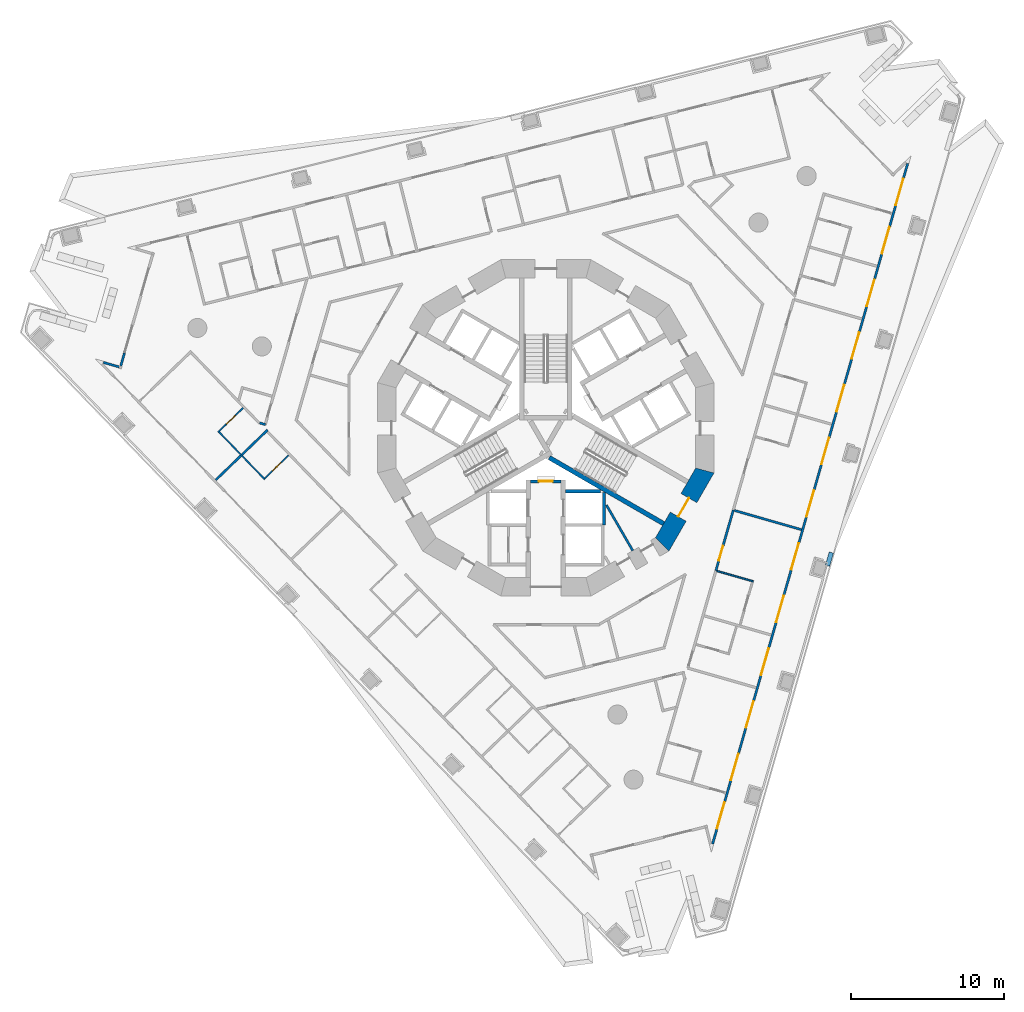
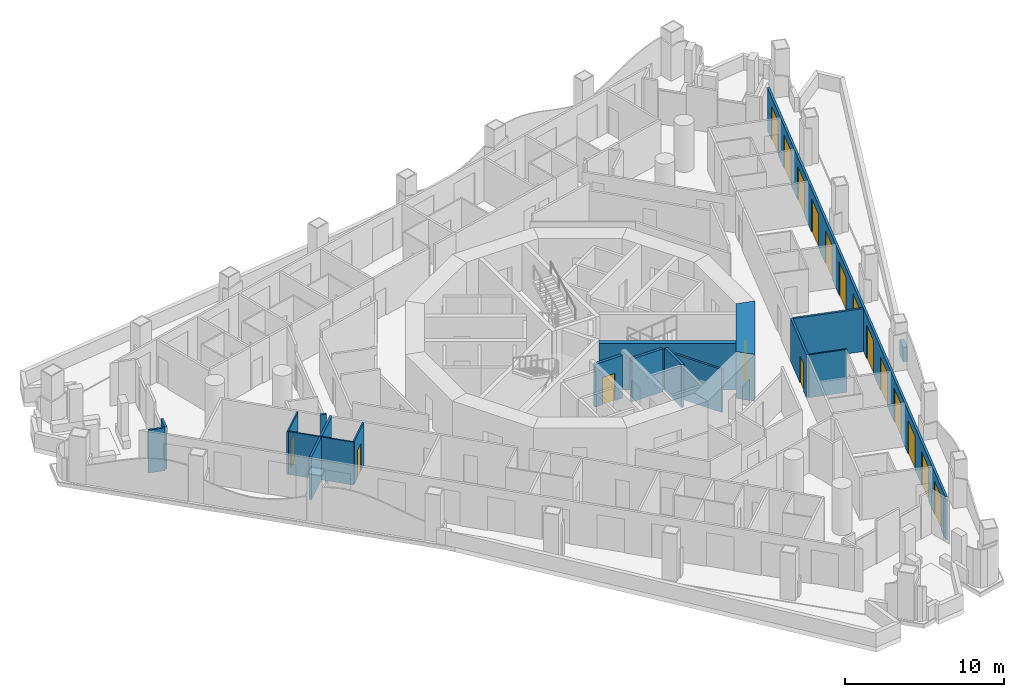
# One storey, part 5 of 19: 18 doors, 18 walls, 18 openings.
"""IFC4 building model written with IfcOpenShell, lengths in metres."""

import ifcopenshell
import ifcopenshell.guid

model = None  # the IFC model being written
_history = None  # IfcOwnerHistory: only IFC2X3 demands one
_inside = {}  # id of a spatial element -> (the spatial element, [elements in it])
_under = {}  # id of a project, library or spatial element -> (it, [spatial elements below it])
_declared = {}  # id of a project -> (the project, [libraries it declares])
_typed = {}  # id of a type object -> (the type object, [elements of that type])
_made_of = {}  # id of a material, layer set ... -> (it, [elements and type objects made of it])


def new_model(schema):
    """Start an empty IFC model of exactly this schema.

    Asked for "IFC4X3", IfcOpenShell would pick the latest addendum, in which some entities
    have other attributes; the version numbers below select the first issue.
    IFC2X3 requires an IfcOwnerHistory on every rooted entity: one is made here for all.
    """
    global model, _history
    if schema == "IFC4X3":
        model = ifcopenshell.file(schema_version=(4, 3, 0, 0))
    else:
        model = ifcopenshell.file(schema=schema)
    _inside.clear()
    _under.clear()
    _declared.clear()
    _typed.clear()
    _made_of.clear()
    _history = None
    if model.schema == "IFC2X3":
        org = make("IfcOrganization", Name="unknown")
        user = make(
            "IfcPersonAndOrganization",
            ThePerson=make("IfcPerson", FamilyName="unknown"),
            TheOrganization=org,
        )
        app = make(
            "IfcApplication",
            ApplicationDeveloper=org,
            Version="unknown",
            ApplicationFullName="unknown",
            ApplicationIdentifier="unknown",
        )
        _history = make(
            "IfcOwnerHistory",
            OwningUser=user,
            OwningApplication=app,
            ChangeAction="ADDED",
            CreationDate=0,
        )
    return model


def make(cls, **values):
    """One entity of the class cls with the attributes given. An attribute that is None is left unset."""
    return model.create_entity(
        cls, **{name: value for name, value in values.items() if value is not None}
    )


def rooted(cls, **values):
    """An entity with a GlobalId (a new one), such as an element, a storey or a relation."""
    return make(cls, GlobalId=ifcopenshell.guid.new(), OwnerHistory=_history, **values)


def si_unit(unit_type, name, prefix=None):
    """IfcSIUnit, for example si_unit("LENGTHUNIT", "METRE", prefix="MILLI")."""
    return make("IfcSIUnit", UnitType=unit_type, Prefix=prefix, Name=name)


def assignment(units):
    """IfcUnitAssignment: the units of a project."""
    return None if units is None else make("IfcUnitAssignment", Units=units)


def point(xyz):
    """IfcCartesianPoint."""
    return None if xyz is None else make("IfcCartesianPoint", Coordinates=xyz)


def direction(xyz):
    """IfcDirection."""
    return None if xyz is None else make("IfcDirection", DirectionRatios=xyz)


def frame(location, z_axis=None, x_axis=None):
    """IfcAxis2Placement3D, a coordinate frame: its origin and axes. An axis left out is left unset."""
    return make(
        "IfcAxis2Placement3D",
        Location=point(location),
        Axis=direction(z_axis),
        RefDirection=direction(x_axis),
    )


def frame_2d(location, x_axis=None):
    """IfcAxis2Placement2D, a coordinate frame in the plane: its origin and x axis."""
    return make(
        "IfcAxis2Placement2D", Location=point(location), RefDirection=direction(x_axis)
    )


def origin():
    """The frame at (0, 0, 0) with its axes left unset."""
    return frame((0.0, 0.0, 0.0))


def place(relative_to, where):
    """IfcLocalPlacement: puts the frame where relative to a parent placement (None: the world)."""
    return make(
        "IfcLocalPlacement", PlacementRelTo=relative_to, RelativePlacement=where
    )


def context(
    kind, dimensions, precision=None, world=None, true_north=None, identifier=None
):
    """IfcGeometricRepresentationContext, for example the 3D "Model" context."""
    return make(
        "IfcGeometricRepresentationContext",
        ContextIdentifier=identifier,
        ContextType=kind,
        CoordinateSpaceDimension=dimensions,
        Precision=precision,
        WorldCoordinateSystem=world,
        TrueNorth=true_north,
    )


def subcontext(parent, identifier, kind, view, scale=None):
    """IfcGeometricRepresentationSubContext, for example "Body" below "Model"."""
    return make(
        "IfcGeometricRepresentationSubContext",
        ContextIdentifier=identifier,
        ContextType=kind,
        ParentContext=parent,
        TargetScale=scale,
        TargetView=view,
    )


def project(units=None, contexts=None):
    """IfcProject with its units and contexts."""
    return rooted(
        "IfcProject",
        Name="project",
        RepresentationContexts=contexts,
        UnitsInContext=assignment(units),
    )


def spatial(cls, under=None, at=None, **own):
    """A site, building, storey or space (cls), placed at a placement, below another one or the project."""
    s = rooted(cls, ObjectPlacement=at, **own)
    if under is not None:
        _under.setdefault(under.id(), (under, []))[1].append(s)
    return s


def polyline(points):
    """IfcPolyline through the points."""
    return make("IfcPolyline", Points=[point(p) for p in points])


def profile(cls, at=None, kind="AREA", **sizes):
    """A parametric profile (cls). Its sizes go by their IFC names, for example OverallWidth=200.0."""
    return make(cls, ProfileType=kind, Position=at, **sizes)


def rectangle(**sizes):
    """IfcRectangleProfileDef."""
    return profile("IfcRectangleProfileDef", **sizes)


def outline(outer, holes=None, kind="AREA"):
    """IfcArbitraryClosedProfileDef: a profile drawn as a closed curve; with holes, ...WithVoids."""
    if holes is None:
        return make("IfcArbitraryClosedProfileDef", ProfileType=kind, OuterCurve=outer)
    return make(
        "IfcArbitraryProfileDefWithVoids",
        ProfileType=kind,
        OuterCurve=outer,
        InnerCurves=holes,
    )


def extrude(swept, where, along, depth):
    """IfcExtrudedAreaSolid: the profile swept, set in the frame where, extruded along a direction by depth."""
    return make(
        "IfcExtrudedAreaSolid",
        SweptArea=swept,
        Position=where,
        ExtrudedDirection=direction(along),
        Depth=depth,
    )


def shape(context_of_items, identifier, shape_type, items):
    """IfcShapeRepresentation: the items that make up one representation, for example the "Body"."""
    return make(
        "IfcShapeRepresentation",
        ContextOfItems=context_of_items,
        RepresentationIdentifier=identifier,
        RepresentationType=shape_type,
        Items=items,
    )


def material(Name=None, Category=None):
    """IfcMaterial."""
    return make("IfcMaterial", Name=Name, Category=Category)


def layer(
    of_material, thickness, ventilated=None, Name=None, Category=None, Priority=None
):
    """IfcMaterialLayer: one layer of a wall or slab, of a material (None: an air gap)."""
    return make(
        "IfcMaterialLayer",
        Material=of_material,
        LayerThickness=thickness,
        IsVentilated=ventilated,
        Name=Name,
        Category=Category,
        Priority=Priority,
    )


def layer_set(layers, Name=None):
    """IfcMaterialLayerSet."""
    return make("IfcMaterialLayerSet", MaterialLayers=layers, LayerSetName=Name)


def made_of(thing, what):
    """Note that an element or type object is made of a material, layer set ...; save() writes the relation."""
    if what is not None:
        _made_of.setdefault(what.id(), (what, []))[1].append(thing)
    return thing


def type_object(cls, material=None, **own):
    """A type object (cls), such as IfcWallType, which elements share."""
    return made_of(rooted(cls, **own), material)


def element(
    cls,
    number,
    at=None,
    inside=None,
    cuts=None,
    type_object=None,
    material=None,
    context=None,
    identifier="Body",
    shape_type=None,
    held_by="IfcProductDefinitionShape",
    body=None,
    shapes=None,
    **own,
):
    """One element of the class cls, such as IfcWall. Its Tag is "e" and its number.

    at: its placement. inside: the storey or other place that contains it. cuts: it is an
    opening in that element (IfcRelVoidsElement). A single representation is given by context,
    identifier, shape_type and body (its items); several are given by shapes. held_by: the class
    of the entity that holds the representations. save() writes the other relations.
    """
    e = rooted(cls, Tag="e%d" % number, ObjectPlacement=at, **own)
    if body is not None:
        shapes = [shape(context, identifier, shape_type, body)]
    if shapes is not None:
        e.Representation = make(held_by, Representations=shapes)
    if inside is not None:
        _inside.setdefault(inside.id(), (inside, []))[1].append(e)
    if cuts is not None:
        rooted(
            "IfcRelVoidsElement", RelatingBuildingElement=cuts, RelatedOpeningElement=e
        )
    if type_object is not None:
        _typed.setdefault(type_object.id(), (type_object, []))[1].append(e)
    return made_of(e, material)


def fill(opening, filler):
    """IfcRelFillsElement: the door or window that sits in an opening."""
    return rooted(
        "IfcRelFillsElement",
        RelatingOpeningElement=opening,
        RelatedBuildingElement=filler,
    )


def aggregate(whole, parts):
    """IfcRelAggregates: a whole, such as a stair, and the parts it consists of."""
    return rooted("IfcRelAggregates", RelatingObject=whole, RelatedObjects=parts)


def save(model, path):
    """Write the relations noted so far, then the file.

    IfcRelAggregates (storeys below a building ...), IfcRelContainedInSpatialStructure (elements
    in a storey), IfcRelDefinesByType, IfcRelAssociatesMaterial and IfcRelDeclares: one each for
    every whole, place, type object, material and project.
    """
    for whole, parts in _under.values():
        aggregate(whole, parts)
    for where, things in _inside.values():
        rooted(
            "IfcRelContainedInSpatialStructure",
            RelatedElements=things,
            RelatingStructure=where,
        )
    for kind, things in _typed.values():
        rooted("IfcRelDefinesByType", RelatedObjects=things, RelatingType=kind)
    for what, things in _made_of.values():
        rooted("IfcRelAssociatesMaterial", RelatedObjects=things, RelatingMaterial=what)
    for by, libraries in _declared.values():
        rooted("IfcRelDeclares", RelatingContext=by, RelatedDefinitions=libraries)
    model.write(path)


model = new_model("IFC4")

# Units and contexts
model_context = context("Model", 3, precision=1e-05, world=origin(), true_north=direction((0.0, 1.0)))
body_context = subcontext(model_context, "Body", "Model", "MODEL_VIEW")
ifc_project = project(units=[si_unit("LENGTHUNIT", "METRE"), si_unit("AREAUNIT", "SQUARE_METRE"), si_unit("VOLUMEUNIT", "CUBIC_METRE"), si_unit("PLANEANGLEUNIT", "RADIAN"), si_unit("MASSUNIT", "GRAM", prefix="KILO")], contexts=[model_context])

# Site, building, storey
site_placement = place(None, origin())
site = spatial("IfcSite", under=ifc_project, at=site_placement, CompositionType="ELEMENT")
building_placement = place(site_placement, origin())
building = spatial("IfcBuilding", under=site, at=building_placement, Name="Trine Commons Tower", CompositionType="ELEMENT")
storey_placement = place(building_placement, frame((0.0, 0.0, 87.300048828125)))
storey = spatial("IfcBuildingStorey", under=building, at=storey_placement, Name="L21", CompositionType="ELEMENT", Elevation=87.300048828125)

# Walls
ifc_material_1 = material(Name="Plasterboard partition on steel studs", Category="steel")
ifc_layer_1 = layer(ifc_material_1, 0.14990234375)
ifc_layer_set_1 = layer_set([ifc_layer_1], Name="Plasterboard partition on steel studs")
wall_type_1 = type_object("IfcWallType", Name="Core room partition 150 mm, EI 60", PredefinedType="PARTITIONING", material=ifc_layer_set_1)
wall_1_placement = place(storey_placement, frame((85.693115234375, 54.4580078125, 0.0), z_axis=(0.0, 0.0, 1.0), x_axis=(-0.500258757272, 0.865875958653, 0.0)))
element("IfcWall", 1, at=wall_1_placement, inside=storey, type_object=wall_type_1, Name="Core room partition L21", PredefinedType="PARTITIONING", context=body_context, shape_type="SweptSolid", body=[
    extrude(rectangle(XDim=3.454345703125, YDim=0.14990234375, at=frame_2d((1.72705078125, 0.0))), origin(), (0.0, 0.0, 1.0), 3.300048828125),
])
ifc_material_2 = material(Name="Aluminium-framed insulated wall panel", Category="aluminium")
ifc_layer_2 = layer(ifc_material_2, 0.14990234375)
ifc_layer_set_2 = layer_set([ifc_layer_2], Name="Aluminium-framed insulated wall panel")
wall_type_2 = type_object("IfcWallType", Name="Glazed frame wall 150, EI 60", PredefinedType="SOLIDWALL", material=ifc_layer_set_2)
wall_2_placement = place(storey_placement, frame((50.88232421875, 66.82861328125, 0.0), z_axis=(0.0, 0.0, 1.0), x_axis=(0.961290718071, -0.275536123495, 0.0)))
element("IfcWall", 2, at=wall_2_placement, inside=storey, type_object=wall_type_2, Name="Glazed frame wall R1", PredefinedType="SOLIDWALL", context=body_context, shape_type="SweptSolid", body=[
    extrude(outline(polyline([(0.1494140625, 0.074951171875), (0.1494140625, -0.074951171875), (1.235107421875, -0.074951171875), (1.235107421875, 0.074951171875), (0.1494140625, 0.074951171875)])), origin(), (0.0, 0.0, 1.0), 3.300048828125),
])
wall_3_placement = place(storey_placement, frame((52.1318359375, 66.433837890625, 0.0), z_axis=(0.0, 0.0, 1.0), x_axis=(0.27588175927, 0.961191580749, 0.0)))
element("IfcWall", 3, at=wall_3_placement, inside=storey, type_object=wall_type_2, Name="Glazed frame wall P1.1", PredefinedType="SOLIDWALL", context=body_context, shape_type="SweptSolid", body=[
    extrude(outline(polyline([(0.110107421875, -0.074951171875), (1.0, -0.074951171875), (1.0, 0.074951171875), (0.110107421875, 0.074951171875), (0.110107421875, -0.074951171875)])), origin(), (0.0, 0.0, 1.0), 3.300048828125),
])

# Wall, openings, doors
wall_4_placement = place(storey_placement, frame((103.735107421875, 79.95703125, 0.0), z_axis=(0.0, 0.0, 1.0), x_axis=(-0.275637625225, -0.961261618687, 0.0)))
wall_4 = element("IfcWall", 4, at=wall_4_placement, inside=storey, type_object=wall_type_2, Name="Glazed frame wall F2", PredefinedType="SOLIDWALL", context=body_context, shape_type="SweptSolid", body=[
    extrude(outline(polyline([(0.1494140625, 0.074951171875), (0.1494140625, -0.074951171875), (46.496826171875, -0.074951171875), (46.496826171875, 0.074951171875), (0.1494140625, 0.074951171875)])), origin(), (0.0, 0.0, 1.0), 3.300048828125),
])
opening_1_placement = place(wall_4_placement, frame((1.194091796875, 0.0, 0.0)))
opening_1 = element("IfcOpeningElement", 5, at=opening_1_placement, cuts=wall_4, Name="Opening BD-3F2-01", PredefinedType="OPENING", context=body_context, shape_type="SweptSolid", body=[
    extrude(rectangle(XDim=1.800048828125, YDim=2.60009765625, at=frame_2d((0.89990234375, 1.300048828125))), frame((0.0, 0.0849609375, 0.0), z_axis=(0.0, -1.0, 0.0), x_axis=(1.0, 0.0, 0.0)), (0.0, 0.0, 1.0), 0.169921875),
])
opening_2_placement = place(wall_4_placement, frame((4.482421875, 0.0, 0.0)))
opening_2 = element("IfcOpeningElement", 6, at=opening_2_placement, cuts=wall_4, Name="Opening BD-3F2-02", PredefinedType="OPENING", context=body_context, shape_type="SweptSolid", body=[
    extrude(rectangle(XDim=1.800048828125, YDim=2.60009765625, at=frame_2d((0.89990234375, 1.300048828125))), frame((0.0, 0.0849609375, 0.0), z_axis=(0.0, -1.0, 0.0), x_axis=(1.0, 0.0, 0.0)), (0.0, 0.0, 1.0), 0.169921875),
])
opening_3_placement = place(wall_4_placement, frame((8.070556640625, 0.0, 0.0)))
opening_3 = element("IfcOpeningElement", 7, at=opening_3_placement, cuts=wall_4, Name="Opening BD-3F2-03", PredefinedType="OPENING", context=body_context, shape_type="SweptSolid", body=[
    extrude(rectangle(XDim=1.800048828125, YDim=2.60009765625, at=frame_2d((0.89990234375, 1.300048828125))), frame((0.0, 0.0849609375, 0.0), z_axis=(0.0, -1.0, 0.0), x_axis=(1.0, 0.0, 0.0)), (0.0, 0.0, 1.0), 0.169921875),
])
opening_4_placement = place(wall_4_placement, frame((11.65869140625, 0.0, 0.0)))
opening_4 = element("IfcOpeningElement", 8, at=opening_4_placement, cuts=wall_4, Name="Opening BD-3F2-04", PredefinedType="OPENING", context=body_context, shape_type="SweptSolid", body=[
    extrude(rectangle(XDim=1.800048828125, YDim=2.60009765625, at=frame_2d((0.89990234375, 1.300048828125))), frame((0.0, 0.0849609375, 0.0), z_axis=(0.0, -1.0, 0.0), x_axis=(1.0, 0.0, 0.0)), (0.0, 0.0, 1.0), 0.169921875),
])
opening_5_placement = place(wall_4_placement, frame((15.246826171875, 0.0, 0.0)))
opening_5 = element("IfcOpeningElement", 9, at=opening_5_placement, cuts=wall_4, Name="Opening BD-3F2-05", PredefinedType="OPENING", context=body_context, shape_type="SweptSolid", body=[
    extrude(rectangle(XDim=1.800048828125, YDim=2.60009765625, at=frame_2d((0.89990234375, 1.300048828125))), frame((0.0, 0.0849609375, 0.0), z_axis=(0.0, -1.0, 0.0), x_axis=(1.0, 0.0, 0.0)), (0.0, 0.0, 1.0), 0.169921875),
])
opening_6_placement = place(wall_4_placement, frame((18.835205078125, 0.0, 0.0)))
opening_6 = element("IfcOpeningElement", 10, at=opening_6_placement, cuts=wall_4, Name="Opening BD-3F2-06", PredefinedType="OPENING", context=body_context, shape_type="SweptSolid", body=[
    extrude(rectangle(XDim=1.800048828125, YDim=2.60009765625, at=frame_2d((0.89990234375, 1.300048828125))), frame((0.0, 0.0849609375, 0.0), z_axis=(0.0, -1.0, 0.0), x_axis=(1.0, 0.0, 0.0)), (0.0, 0.0, 1.0), 0.169921875),
])
opening_7_placement = place(wall_4_placement, frame((22.42333984375, 0.0, 0.0)))
opening_7 = element("IfcOpeningElement", 11, at=opening_7_placement, cuts=wall_4, Name="Opening BD-3F2-07", PredefinedType="OPENING", context=body_context, shape_type="SweptSolid", body=[
    extrude(rectangle(XDim=1.800048828125, YDim=2.60009765625, at=frame_2d((0.89990234375, 1.300048828125))), frame((0.0, 0.0849609375, 0.0), z_axis=(0.0, -1.0, 0.0), x_axis=(1.0, 0.0, 0.0)), (0.0, 0.0, 1.0), 0.169921875),
])
opening_8_placement = place(wall_4_placement, frame((26.011474609375, 0.0, 0.0)))
opening_8 = element("IfcOpeningElement", 12, at=opening_8_placement, cuts=wall_4, Name="Opening BD-3F2-08", PredefinedType="OPENING", context=body_context, shape_type="SweptSolid", body=[
    extrude(rectangle(XDim=1.800048828125, YDim=2.60009765625, at=frame_2d((0.89990234375, 1.300048828125))), frame((0.0, 0.0849609375, 0.0), z_axis=(0.0, -1.0, 0.0), x_axis=(1.0, 0.0, 0.0)), (0.0, 0.0, 1.0), 0.169921875),
])
opening_9_placement = place(wall_4_placement, frame((29.599609375, 0.0, 0.0)))
opening_9 = element("IfcOpeningElement", 13, at=opening_9_placement, cuts=wall_4, Name="Opening BD-3F2-09", PredefinedType="OPENING", context=body_context, shape_type="SweptSolid", body=[
    extrude(rectangle(XDim=1.800048828125, YDim=2.60009765625, at=frame_2d((0.89990234375, 1.300048828125))), frame((0.0, 0.0849609375, 0.0), z_axis=(0.0, -1.0, 0.0), x_axis=(1.0, 0.0, 0.0)), (0.0, 0.0, 1.0), 0.169921875),
])
opening_10_placement = place(wall_4_placement, frame((33.18798828125, 0.0, 0.0)))
opening_10 = element("IfcOpeningElement", 14, at=opening_10_placement, cuts=wall_4, Name="Opening BD-3F2-10", PredefinedType="OPENING", context=body_context, shape_type="SweptSolid", body=[
    extrude(rectangle(XDim=1.800048828125, YDim=2.60009765625, at=frame_2d((0.89990234375, 1.300048828125))), frame((0.0, 0.0849609375, 0.0), z_axis=(0.0, -1.0, 0.0), x_axis=(1.0, 0.0, 0.0)), (0.0, 0.0, 1.0), 0.169921875),
])
opening_11_placement = place(wall_4_placement, frame((36.776123046875, 0.0, 0.0)))
opening_11 = element("IfcOpeningElement", 15, at=opening_11_placement, cuts=wall_4, Name="Opening BD-3F2-11", PredefinedType="OPENING", context=body_context, shape_type="SweptSolid", body=[
    extrude(rectangle(XDim=1.800048828125, YDim=2.60009765625, at=frame_2d((0.89990234375, 1.300048828125))), frame((0.0, 0.0849609375, 0.0), z_axis=(0.0, -1.0, 0.0), x_axis=(1.0, 0.0, 0.0)), (0.0, 0.0, 1.0), 0.169921875),
])
opening_12_placement = place(wall_4_placement, frame((40.3642578125, 0.0, 0.0)))
opening_12 = element("IfcOpeningElement", 16, at=opening_12_placement, cuts=wall_4, Name="Opening BD-3F2-12", PredefinedType="OPENING", context=body_context, shape_type="SweptSolid", body=[
    extrude(rectangle(XDim=1.800048828125, YDim=2.60009765625, at=frame_2d((0.89990234375, 1.300048828125))), frame((0.0, 0.0849609375, 0.0), z_axis=(0.0, -1.0, 0.0), x_axis=(1.0, 0.0, 0.0)), (0.0, 0.0, 1.0), 0.169921875),
])
opening_13_placement = place(wall_4_placement, frame((43.652587890625, 0.0, 0.0)))
opening_13 = element("IfcOpeningElement", 17, at=opening_13_placement, cuts=wall_4, Name="Opening BD-3F2-13", PredefinedType="OPENING", context=body_context, shape_type="SweptSolid", body=[
    extrude(rectangle(XDim=1.800048828125, YDim=2.60009765625, at=frame_2d((0.89990234375, 1.300048828125))), frame((0.0, 0.0849609375, 0.0), z_axis=(0.0, -1.0, 0.0), x_axis=(1.0, 0.0, 0.0)), (0.0, 0.0, 1.0), 0.169921875),
])
ifc_material_3 = material(Name="Anodised aluminium frame with double glazing", Category="aluminium")
door_type_1 = type_object("IfcDoorType", Name="Sliding loggia door 1800x2600", OperationType="SLIDING_TO_LEFT", PredefinedType="DOOR", material=ifc_material_3)
door_1_placement = place(opening_1_placement, origin())
door_1 = element("IfcDoor", 18, at=door_1_placement, inside=storey, type_object=door_type_1, Name="Loggia door F2 1", OperationType="SLIDING_TO_LEFT", OverallHeight=2.60009765625, OverallWidth=1.800048828125, PredefinedType="DOOR", context=body_context, shape_type="SweptSolid", body=[
    extrude(rectangle(XDim=1.800048828125, YDim=2.60009765625, at=frame_2d((0.89990234375, 1.300048828125))), frame((0.0, 0.02490234375, 0.0), z_axis=(0.0, -1.0, 0.0), x_axis=(1.0, 0.0, 0.0)), (0.0, 0.0, 1.0), 0.050048828125),
])
fill(opening_1, door_1)
door_2_placement = place(opening_2_placement, origin())
door_2 = element("IfcDoor", 19, at=door_2_placement, inside=storey, type_object=door_type_1, Name="Loggia door F2 2", OperationType="SLIDING_TO_LEFT", OverallHeight=2.60009765625, OverallWidth=1.800048828125, PredefinedType="DOOR", context=body_context, shape_type="SweptSolid", body=[
    extrude(rectangle(XDim=1.800048828125, YDim=2.60009765625, at=frame_2d((0.89990234375, 1.300048828125))), frame((0.0, 0.02490234375, 0.0), z_axis=(0.0, -1.0, 0.0), x_axis=(1.0, 0.0, 0.0)), (0.0, 0.0, 1.0), 0.050048828125),
])
fill(opening_2, door_2)
door_3_placement = place(opening_3_placement, origin())
door_3 = element("IfcDoor", 20, at=door_3_placement, inside=storey, type_object=door_type_1, Name="Loggia door F2 3", OperationType="SLIDING_TO_LEFT", OverallHeight=2.60009765625, OverallWidth=1.800048828125, PredefinedType="DOOR", context=body_context, shape_type="SweptSolid", body=[
    extrude(rectangle(XDim=1.800048828125, YDim=2.60009765625, at=frame_2d((0.89990234375, 1.300048828125))), frame((0.0, 0.02490234375, 0.0), z_axis=(0.0, -1.0, 0.0), x_axis=(1.0, 0.0, 0.0)), (0.0, 0.0, 1.0), 0.050048828125),
])
fill(opening_3, door_3)
door_4_placement = place(opening_4_placement, origin())
door_4 = element("IfcDoor", 21, at=door_4_placement, inside=storey, type_object=door_type_1, Name="Loggia door F2 4", OperationType="SLIDING_TO_LEFT", OverallHeight=2.60009765625, OverallWidth=1.800048828125, PredefinedType="DOOR", context=body_context, shape_type="SweptSolid", body=[
    extrude(rectangle(XDim=1.800048828125, YDim=2.60009765625, at=frame_2d((0.89990234375, 1.300048828125))), frame((0.0, 0.02490234375, 0.0), z_axis=(0.0, -1.0, 0.0), x_axis=(1.0, 0.0, 0.0)), (0.0, 0.0, 1.0), 0.050048828125),
])
fill(opening_4, door_4)
door_5_placement = place(opening_5_placement, origin())
door_5 = element("IfcDoor", 22, at=door_5_placement, inside=storey, type_object=door_type_1, Name="Loggia door F2 5", OperationType="SLIDING_TO_LEFT", OverallHeight=2.60009765625, OverallWidth=1.800048828125, PredefinedType="DOOR", context=body_context, shape_type="SweptSolid", body=[
    extrude(rectangle(XDim=1.800048828125, YDim=2.60009765625, at=frame_2d((0.89990234375, 1.300048828125))), frame((0.0, 0.02490234375, 0.0), z_axis=(0.0, -1.0, 0.0), x_axis=(1.0, 0.0, 0.0)), (0.0, 0.0, 1.0), 0.050048828125),
])
fill(opening_5, door_5)
door_6_placement = place(opening_6_placement, origin())
door_6 = element("IfcDoor", 23, at=door_6_placement, inside=storey, type_object=door_type_1, Name="Loggia door F2 6", OperationType="SLIDING_TO_LEFT", OverallHeight=2.60009765625, OverallWidth=1.800048828125, PredefinedType="DOOR", context=body_context, shape_type="SweptSolid", body=[
    extrude(rectangle(XDim=1.800048828125, YDim=2.60009765625, at=frame_2d((0.89990234375, 1.300048828125))), frame((0.0, 0.02490234375, 0.0), z_axis=(0.0, -1.0, 0.0), x_axis=(1.0, 0.0, 0.0)), (0.0, 0.0, 1.0), 0.050048828125),
])
fill(opening_6, door_6)
door_7_placement = place(opening_7_placement, origin())
door_7 = element("IfcDoor", 24, at=door_7_placement, inside=storey, type_object=door_type_1, Name="Loggia door F2 7", OperationType="SLIDING_TO_LEFT", OverallHeight=2.60009765625, OverallWidth=1.800048828125, PredefinedType="DOOR", context=body_context, shape_type="SweptSolid", body=[
    extrude(rectangle(XDim=1.800048828125, YDim=2.60009765625, at=frame_2d((0.89990234375, 1.300048828125))), frame((0.0, 0.02490234375, 0.0), z_axis=(0.0, -1.0, 0.0), x_axis=(1.0, 0.0, 0.0)), (0.0, 0.0, 1.0), 0.050048828125),
])
fill(opening_7, door_7)
door_8_placement = place(opening_8_placement, origin())
door_8 = element("IfcDoor", 25, at=door_8_placement, inside=storey, type_object=door_type_1, Name="Loggia door F2 8", OperationType="SLIDING_TO_LEFT", OverallHeight=2.60009765625, OverallWidth=1.800048828125, PredefinedType="DOOR", context=body_context, shape_type="SweptSolid", body=[
    extrude(rectangle(XDim=1.800048828125, YDim=2.60009765625, at=frame_2d((0.89990234375, 1.300048828125))), frame((0.0, 0.02490234375, 0.0), z_axis=(0.0, -1.0, 0.0), x_axis=(1.0, 0.0, 0.0)), (0.0, 0.0, 1.0), 0.050048828125),
])
fill(opening_8, door_8)
door_9_placement = place(opening_9_placement, origin())
door_9 = element("IfcDoor", 26, at=door_9_placement, inside=storey, type_object=door_type_1, Name="Loggia door F2 9", OperationType="SLIDING_TO_LEFT", OverallHeight=2.60009765625, OverallWidth=1.800048828125, PredefinedType="DOOR", context=body_context, shape_type="SweptSolid", body=[
    extrude(rectangle(XDim=1.800048828125, YDim=2.60009765625, at=frame_2d((0.89990234375, 1.300048828125))), frame((0.0, 0.02490234375, 0.0), z_axis=(0.0, -1.0, 0.0), x_axis=(1.0, 0.0, 0.0)), (0.0, 0.0, 1.0), 0.050048828125),
])
fill(opening_9, door_9)
door_10_placement = place(opening_10_placement, origin())
door_10 = element("IfcDoor", 27, at=door_10_placement, inside=storey, type_object=door_type_1, Name="Loggia door F2 10", OperationType="SLIDING_TO_LEFT", OverallHeight=2.60009765625, OverallWidth=1.800048828125, PredefinedType="DOOR", context=body_context, shape_type="SweptSolid", body=[
    extrude(rectangle(XDim=1.800048828125, YDim=2.60009765625, at=frame_2d((0.89990234375, 1.300048828125))), frame((0.0, 0.02490234375, 0.0), z_axis=(0.0, -1.0, 0.0), x_axis=(1.0, 0.0, 0.0)), (0.0, 0.0, 1.0), 0.050048828125),
])
fill(opening_10, door_10)
door_11_placement = place(opening_11_placement, origin())
door_11 = element("IfcDoor", 28, at=door_11_placement, inside=storey, type_object=door_type_1, Name="Loggia door F2 11", OperationType="SLIDING_TO_LEFT", OverallHeight=2.60009765625, OverallWidth=1.800048828125, PredefinedType="DOOR", context=body_context, shape_type="SweptSolid", body=[
    extrude(rectangle(XDim=1.800048828125, YDim=2.60009765625, at=frame_2d((0.89990234375, 1.300048828125))), frame((0.0, 0.02490234375, 0.0), z_axis=(0.0, -1.0, 0.0), x_axis=(1.0, 0.0, 0.0)), (0.0, 0.0, 1.0), 0.050048828125),
])
fill(opening_11, door_11)
door_12_placement = place(opening_12_placement, origin())
door_12 = element("IfcDoor", 29, at=door_12_placement, inside=storey, type_object=door_type_1, Name="Loggia door F2 12", OperationType="SLIDING_TO_LEFT", OverallHeight=2.60009765625, OverallWidth=1.800048828125, PredefinedType="DOOR", context=body_context, shape_type="SweptSolid", body=[
    extrude(rectangle(XDim=1.800048828125, YDim=2.60009765625, at=frame_2d((0.89990234375, 1.300048828125))), frame((0.0, 0.02490234375, 0.0), z_axis=(0.0, -1.0, 0.0), x_axis=(1.0, 0.0, 0.0)), (0.0, 0.0, 1.0), 0.050048828125),
])
fill(opening_12, door_12)
door_13_placement = place(opening_13_placement, origin())
door_13 = element("IfcDoor", 30, at=door_13_placement, inside=storey, type_object=door_type_1, Name="Loggia door F2 13", OperationType="SLIDING_TO_LEFT", OverallHeight=2.60009765625, OverallWidth=1.800048828125, PredefinedType="DOOR", context=body_context, shape_type="SweptSolid", body=[
    extrude(rectangle(XDim=1.800048828125, YDim=2.60009765625, at=frame_2d((0.89990234375, 1.300048828125))), frame((0.0, 0.02490234375, 0.0), z_axis=(0.0, -1.0, 0.0), x_axis=(1.0, 0.0, 0.0)), (0.0, 0.0, 1.0), 0.050048828125),
])
fill(opening_13, door_13)

# Wall, opening, door
ifc_material_4 = material(Name="Fire-rated gypsum shaft wall system")
ifc_layer_3 = layer(ifc_material_4, 0.199951171875)
ifc_layer_set_3 = layer_set([ifc_layer_3], Name="Fire-rated gypsum shaft wall system")
wall_type_3 = type_object("IfcWallType", Name="Lobby end wall 200 mm, EI 120", PredefinedType="PARTITIONING", material=ifc_layer_set_3)
wall_5_placement = place(storey_placement, frame((79.0, 59.0, 0.0), z_axis=(0.0, 0.0, 1.0), x_axis=(1.0, 0.0, 0.0)))
wall_5 = element("IfcWall", 31, at=wall_5_placement, inside=storey, type_object=wall_type_3, Name="Lobby end wall L21", PredefinedType="PARTITIONING", context=body_context, shape_type="SweptSolid", body=[
    extrude(rectangle(XDim=2.0, YDim=0.199951171875, at=frame_2d((1.0, 0.0))), origin(), (0.0, 0.0, 1.0), 3.300048828125),
])
opening_14_placement = place(wall_5_placement, frame((0.550048828125, 0.0, 0.0)))
opening_14 = element("IfcOpeningElement", 32, at=opening_14_placement, cuts=wall_5, Name="Opening K04.09", PredefinedType="OPENING", context=body_context, shape_type="SweptSolid", body=[
    extrude(rectangle(XDim=0.89990234375, YDim=2.10009765625, at=frame_2d((0.449951171875, 1.050048828125))), frame((0.0, 0.10986328125, 0.0), z_axis=(0.0, -1.0, 0.0), x_axis=(1.0, 0.0, 0.0)), (0.0, 0.0, 1.0), 0.219970703125),
])
ifc_material_5 = material(Name="Steel door leaf, fire-rated", Category="steel")
door_type_2 = type_object("IfcDoorType", Name="Riser access door, single leaf 900 x 2100, FD60", OperationType="SINGLE_SWING_LEFT", PredefinedType="DOOR", material=ifc_material_5)
door_14_placement = place(opening_14_placement, frame((0.89990234375, 0.0, 0.0), z_axis=(0.0, 0.0, 1.0), x_axis=(-1.0, 0.0, 0.0)))
door_14 = element("IfcDoor", 33, at=door_14_placement, inside=storey, type_object=door_type_2, Name="Riser door, Communications riser L21", OperationType="SINGLE_SWING_RIGHT", OverallHeight=2.10009765625, OverallWidth=0.89990234375, PredefinedType="DOOR", context=body_context, shape_type="SweptSolid", body=[
    extrude(rectangle(XDim=0.89990234375, YDim=2.10009765625, at=frame_2d((0.449951171875, 1.050048828125))), frame((0.0, 0.02490234375, 0.0), z_axis=(0.0, -1.0, 0.0), x_axis=(1.0, 0.0, 0.0)), (0.0, 0.0, 1.0), 0.050048828125),
])
fill(opening_14, door_14)

ifc_material_6 = material(Name="Concrete C70/85", Category="concrete")
ifc_layer_4 = layer(ifc_material_6, 1.199951171875)
ifc_layer_set_4 = layer_set([ifc_layer_4], Name="Concrete C70/85")
wall_type_4 = type_object("IfcWallType", Name="RC shear wall 1200 mm, C70/85", PredefinedType="SHEAR", material=ifc_layer_set_4)
wall_6_placement = place(storey_placement, frame((87.54150390625, 54.739013671875, 0.0), z_axis=(0.0, 0.0, 1.0), x_axis=(0.499979111662, 0.866037463336, 0.0)))
wall_6 = element("IfcWall", 34, at=wall_6_placement, inside=storey, type_object=wall_type_4, Name="Core wall CWC-12 L21", PredefinedType="SHEAR", context=body_context, shape_type="SweptSolid", body=[
    extrude(outline(polyline([(0.0, -0.60009765625), (5.901123046875, -0.60009765625), (5.57958984375, 0.60009765625), (0.321533203125, 0.60009765625), (0.0, -0.60009765625)])), origin(), (0.0, 0.0, 1.0), 3.599853515625),
])
opening_15_placement = place(wall_6_placement, frame((2.25048828125, 0.0, 0.0)))
opening_15 = element("IfcOpeningElement", 35, at=opening_15_placement, cuts=wall_6, Name="Opening K04.03", PredefinedType="OPENING", context=body_context, shape_type="SweptSolid", body=[
    extrude(rectangle(XDim=1.39990234375, YDim=2.10009765625, at=frame_2d((0.699951171875, 1.050048828125))), frame((0.0, 0.60986328125, 0.0), z_axis=(0.0, -1.0, 0.0), x_axis=(1.0, 0.0, 0.0)), (0.0, 0.0, 1.0), 1.219970703125),
])
ifc_material_7 = material(Name="Steel door leaves, fire-rated", Category="steel")
door_type_3 = type_object("IfcDoorType", Name="Stair door, double leaf 1400 x 2100, FD90", OperationType="DOUBLE_DOOR_SINGLE_SWING", PredefinedType="DOOR", material=ifc_material_7)
door_15_placement = place(opening_15_placement, origin())
door_15 = element("IfcDoor", 36, at=door_15_placement, inside=storey, type_object=door_type_3, Name="Stair door to Exit stair ST3A L21", OperationType="DOUBLE_DOOR_SINGLE_SWING", OverallHeight=2.10009765625, OverallWidth=1.39990234375, PredefinedType="DOOR", context=body_context, shape_type="SweptSolid", body=[
    extrude(rectangle(XDim=1.39990234375, YDim=2.10009765625, at=frame_2d((0.699951171875, 1.050048828125))), frame((0.0, 0.02490234375, 0.0), z_axis=(0.0, -1.0, 0.0), x_axis=(1.0, 0.0, 0.0)), (0.0, 0.0, 1.0), 0.050048828125),
])
fill(opening_15, door_15)

# Walls
ifc_layer_5 = layer(ifc_material_6, 0.300048828125)
ifc_layer_set_5 = layer_set([ifc_layer_5], Name="Concrete C70/85")
wall_type_5 = type_object("IfcWallType", Name="RC shear wall 300 mm, C70/85", PredefinedType="SHEAR", material=ifc_layer_set_5)
wall_7_placement = place(storey_placement, frame((80.22509765625, 60.552001953125, 0.0), z_axis=(0.0, 0.0, 1.0), x_axis=(0.865965399159, -0.500103916661, 0.0)))
element("IfcWall", 37, at=wall_7_placement, inside=storey, type_object=wall_type_5, Name="Core cross wall SWA-13 L21", PredefinedType="SHEAR", context=body_context, shape_type="SweptSolid", body=[
    extrude(rectangle(XDim=8.642333984375, YDim=0.300048828125, at=frame_2d((4.3212890625, 0.0))), origin(), (0.0, 0.0, 1.0), 3.599853515625),
])
ifc_layer_6 = layer(ifc_material_4, 0.199951171875)
ifc_layer_set_6 = layer_set([ifc_layer_6], Name="Fire-rated gypsum shaft wall system")
wall_type_6 = type_object("IfcWallType", Name="Shaft wall 200 mm, EI 120", PredefinedType="PARTITIONING", material=ifc_layer_set_6)
wall_8_placement = place(storey_placement, frame((81.300048828125, 58.35009765625, 0.0), z_axis=(0.0, 0.0, 1.0), x_axis=(1.0, 0.0, 0.0)))
element("IfcWall", 38, at=wall_8_placement, inside=storey, type_object=wall_type_6, Name="Shaft wall L21", PredefinedType="PARTITIONING", context=body_context, shape_type="SweptSolid", body=[
    extrude(rectangle(XDim=2.264892578125, YDim=0.199951171875, at=frame_2d((1.13232421875, 0.0))), origin(), (0.0, 0.0, 1.0), 3.300048828125),
])
wall_9_placement = place(storey_placement, frame((83.800048828125, 58.256103515625, 0.0), z_axis=(0.0, 0.0, 1.0), x_axis=(0.0, -1.0, 0.0)))
element("IfcWall", 39, at=wall_9_placement, inside=storey, type_object=wall_type_6, Name="Shaft wall L21", PredefinedType="PARTITIONING", context=body_context, shape_type="SweptSolid", body=[
    extrude(rectangle(XDim=2.106201171875, YDim=0.199951171875, at=frame_2d((1.05322265625, 0.0))), origin(), (0.0, 0.0, 1.0), 3.300048828125),
])
ifc_material_8 = material(Name="Limestone, honed", Category="masonry")
ifc_layer_7 = layer(ifc_material_8, 0.300048828125)
ifc_layer_set_7 = layer_set([ifc_layer_7], Name="Limestone, honed")
wall_type_7 = type_object("IfcWallType", Name="Stone parapet 300", PredefinedType="PARAPET", material=ifc_layer_set_7)
wall_10_placement = place(storey_placement, origin())
element("IfcWall", 40, at=wall_10_placement, inside=storey, type_object=wall_type_7, Name="Sliver roof parapet extension L20 6.X1", PredefinedType="PARAPET", context=body_context, shape_type="SweptSolid", body=[
    extrude(outline(polyline([(98.837646484375, 54.297119140625), (98.54931640625, 54.3798828125), (98.30126953125, 53.5146484375), (98.589599609375, 53.43212890625), (98.720703125, 53.8896484375), (98.837646484375, 54.297119140625)])), origin(), (0.0, 0.0, 1.0), 1.099853515625),
])
ifc_material_9 = material(Name="Gypsum plasterboard on steel stud", Category="steel")
ifc_layer_8 = layer(ifc_material_9, 0.14990234375)
ifc_layer_set_8 = layer_set([ifc_layer_8], Name="Gypsum plasterboard on steel stud")
wall_type_8 = type_object("IfcWallType", Name="Unit and corridor wall 150 mm, EI 60", PredefinedType="PARTITIONING", material=ifc_layer_set_8)
wall_11_placement = place(storey_placement, frame((58.37890625, 59.079833984375, 0.0), z_axis=(0.0, 0.0, 1.0), x_axis=(0.719355135732, 0.694642489844, 0.0)))
element("IfcWall", 41, at=wall_11_placement, inside=storey, type_object=wall_type_8, Name="Partition 005", PredefinedType="PARTITIONING", context=body_context, shape_type="SweptSolid", body=[
    extrude(rectangle(XDim=4.72216796875, YDim=0.14990234375, at=frame_2d((2.361083984375, 0.0))), origin(), (0.0, 0.0, 1.0), 3.300048828125),
])
wall_12_placement = place(storey_placement, frame((61.261962890625, 62.823974609375, 0.0), z_axis=(0.0, 0.0, 1.0), x_axis=(0.960829843292, -0.2771389764, 0.0)))
element("IfcWall", 42, at=wall_12_placement, inside=storey, type_object=wall_type_8, Name="Partition 016", PredefinedType="PARTITIONING", context=body_context, shape_type="SweptSolid", body=[
    extrude(rectangle(XDim=0.39990234375, YDim=0.14990234375, at=frame_2d((0.199951171875, 0.0))), origin(), (0.0, 0.0, 1.0), 3.300048828125),
])

# Wall, opening, door
wall_13_placement = place(storey_placement, frame((91.134033203125, 53.14404296875, 0.0), z_axis=(0.0, 0.0, 1.0), x_axis=(0.275508856515, 0.961298533226, 0.0)))
wall_13 = element("IfcWall", 43, at=wall_13_placement, inside=storey, type_object=wall_type_8, Name="Partition 107", PredefinedType="PARTITIONING", context=body_context, shape_type="SweptSolid", body=[
    extrude(rectangle(XDim=4.1337890625, YDim=0.14990234375, at=frame_2d((2.06689453125, 0.0))), origin(), (0.0, 0.0, 1.0), 3.300048828125),
])
opening_16_placement = place(wall_13_placement, frame((0.69189453125, 0.0, 0.0)))
opening_16 = element("IfcOpeningElement", 44, at=opening_16_placement, cuts=wall_13, Name="Opening D-3A19", PredefinedType="OPENING", context=body_context, shape_type="SweptSolid", body=[
    extrude(rectangle(XDim=1.0, YDim=2.10009765625, at=frame_2d((0.5, 1.050048828125))), frame((0.0, 0.0849609375, 0.0), z_axis=(0.0, -1.0, 0.0), x_axis=(1.0, 0.0, 0.0)), (0.0, 0.0, 1.0), 0.169921875),
])
ifc_material_10 = material(Name="Timber fire door set", Category="wood")
door_type_4 = type_object("IfcDoorType", Name="Bedroom door 1000 x 2100, FD30S", OperationType="NOTDEFINED", PredefinedType="DOOR", material=ifc_material_10)
door_16_placement = place(opening_16_placement, frame((1.0, 0.0, 0.0), z_axis=(0.0, 0.0, 1.0), x_axis=(-1.0, 0.0, 0.0)))
door_16 = element("IfcDoor", 45, at=door_16_placement, inside=storey, type_object=door_type_4, Name="Door D-3A19", OperationType="SINGLE_SWING_RIGHT", OverallHeight=2.10009765625, OverallWidth=1.0, PredefinedType="DOOR", context=body_context, shape_type="SweptSolid", body=[
    extrude(rectangle(XDim=1.0, YDim=2.10009765625, at=frame_2d((0.5, 1.050048828125))), frame((0.0, 0.02490234375, 0.0), z_axis=(0.0, -1.0, 0.0), x_axis=(1.0, 0.0, 0.0)), (0.0, 0.0, 1.0), 0.050048828125),
])
fill(opening_16, door_16)

# Wall
wall_14_placement = place(storey_placement, frame((92.343994140625, 57.09326171875, 0.0), z_axis=(0.0, 0.0, 1.0), x_axis=(0.961269673231, -0.275609534171, 0.0)))
element("IfcWall", 46, at=wall_14_placement, inside=storey, type_object=wall_type_8, Name="Partition 112", PredefinedType="PARTITIONING", context=body_context, shape_type="SweptSolid", body=[
    extrude(rectangle(XDim=4.572509765625, YDim=0.14990234375, at=frame_2d((2.2861328125, 0.0))), origin(), (0.0, 0.0, 1.0), 3.300048828125),
])

# Wall, opening, door
ifc_layer_9 = layer(ifc_material_9, 0.10009765625)
ifc_layer_set_9 = layer_set([ifc_layer_9], Name="Gypsum plasterboard on steel stud")
wall_type_9 = type_object("IfcWallType", Name="Unit partition 100 mm, no rating", PredefinedType="PARTITIONING", material=ifc_layer_set_9)
wall_15_placement = place(storey_placement, frame((58.5380859375, 62.222412109375, 0.0), z_axis=(0.0, 0.0, 1.0), x_axis=(0.719390368222, 0.694606002068, 0.0)))
wall_15 = element("IfcWall", 47, at=wall_15_placement, inside=storey, type_object=wall_type_9, Name="Partition 006", PredefinedType="PARTITIONING", context=body_context, shape_type="SweptSolid", body=[
    extrude(rectangle(XDim=2.275390625, YDim=0.10009765625, at=frame_2d((1.1376953125, 0.0))), origin(), (0.0, 0.0, 1.0), 3.300048828125),
])
opening_17_placement = place(wall_15_placement, frame((0.7626953125, 0.0, 0.0)))
opening_17 = element("IfcOpeningElement", 48, at=opening_17_placement, cuts=wall_15, Name="Opening D-3A57", PredefinedType="OPENING", context=body_context, shape_type="SweptSolid", body=[
    extrude(rectangle(XDim=0.800048828125, YDim=2.10009765625, at=frame_2d((0.39990234375, 1.050048828125))), frame((0.0, 0.06005859375, 0.0), z_axis=(0.0, -1.0, 0.0), x_axis=(1.0, 0.0, 0.0)), (0.0, 0.0, 1.0), 0.1201171875),
])
ifc_material_11 = material(Name="Painted timber", Category="wood")
door_type_5 = type_object("IfcDoorType", Name="Internal door 800 x 2100, NOT RATED", OperationType="NOTDEFINED", PredefinedType="DOOR", material=ifc_material_11)
door_17_placement = place(opening_17_placement, origin())
door_17 = element("IfcDoor", 49, at=door_17_placement, inside=storey, type_object=door_type_5, Name="Door D-3A57", OperationType="SINGLE_SWING_RIGHT", OverallHeight=2.10009765625, OverallWidth=0.800048828125, PredefinedType="DOOR", context=body_context, shape_type="SweptSolid", body=[
    extrude(rectangle(XDim=0.800048828125, YDim=2.10009765625, at=frame_2d((0.39990234375, 1.050048828125))), frame((0.0, 0.02490234375, 0.0), z_axis=(0.0, -1.0, 0.0), x_axis=(1.0, 0.0, 0.0)), (0.0, 0.0, 1.0), 0.050048828125),
])
fill(opening_17, door_17)

# Wall
wall_16_placement = place(storey_placement, frame((58.608642578125, 62.220947265625, 0.0), z_axis=(0.0, 0.0, 1.0), x_axis=(0.694678610247, -0.719320254452, 0.0)))
element("IfcWall", 50, at=wall_16_placement, inside=storey, type_object=wall_type_9, Name="Partition 007", PredefinedType="PARTITIONING", context=body_context, shape_type="SweptSolid", body=[
    extrude(rectangle(XDim=4.2998046875, YDim=0.10009765625, at=frame_2d((2.14990234375, 0.0))), origin(), (0.0, 0.0, 1.0), 3.300048828125),
])

# Wall, opening, door
wall_17_placement = place(storey_placement, frame((61.596923828125, 59.19873046875, 0.0), z_axis=(0.0, 0.0, 1.0), x_axis=(0.719397593573, 0.69459851883, 0.0)))
wall_17 = element("IfcWall", 51, at=wall_17_placement, inside=storey, type_object=wall_type_9, Name="Partition 017", PredefinedType="PARTITIONING", context=body_context, shape_type="SweptSolid", body=[
    extrude(rectangle(XDim=2.17578125, YDim=0.10009765625, at=frame_2d((1.087890625, 0.0))), origin(), (0.0, 0.0, 1.0), 3.300048828125),
])
opening_18_placement = place(wall_17_placement, frame((0.687744140625, 0.0, 0.0)))
opening_18 = element("IfcOpeningElement", 52, at=opening_18_placement, cuts=wall_17, Name="Opening D-3A56", PredefinedType="OPENING", context=body_context, shape_type="SweptSolid", body=[
    extrude(rectangle(XDim=0.800048828125, YDim=2.10009765625, at=frame_2d((0.39990234375, 1.050048828125))), frame((0.0, 0.06005859375, 0.0), z_axis=(0.0, -1.0, 0.0), x_axis=(1.0, 0.0, 0.0)), (0.0, 0.0, 1.0), 0.1201171875),
])
door_18_placement = place(opening_18_placement, frame((0.800048828125, 0.0, 0.0), z_axis=(0.0, 0.0, 1.0), x_axis=(-1.0, 0.0, 0.0)))
door_18 = element("IfcDoor", 53, at=door_18_placement, inside=storey, type_object=door_type_5, Name="Door D-3A56", OperationType="SINGLE_SWING_RIGHT", OverallHeight=2.10009765625, OverallWidth=0.800048828125, PredefinedType="DOOR", context=body_context, shape_type="SweptSolid", body=[
    extrude(rectangle(XDim=0.800048828125, YDim=2.10009765625, at=frame_2d((0.39990234375, 1.050048828125))), frame((0.0, 0.02490234375, 0.0), z_axis=(0.0, -1.0, 0.0), x_axis=(1.0, 0.0, 0.0)), (0.0, 0.0, 1.0), 0.050048828125),
])
fill(opening_18, door_18)

# Wall
wall_18_placement = place(storey_placement, frame((91.20703125, 53.127197265625, 0.0), z_axis=(0.0, 0.0, 1.0), x_axis=(0.961296549329, -0.275515778582, 0.0)))
element("IfcWall", 54, at=wall_18_placement, inside=storey, type_object=wall_type_9, Name="Partition 108", PredefinedType="PARTITIONING", context=body_context, shape_type="SweptSolid", body=[
    extrude(rectangle(XDim=2.474853515625, YDim=0.10009765625, at=frame_2d((1.2373046875, 0.0))), origin(), (0.0, 0.0, 1.0), 3.300048828125),
])

save(model, "model.ifc")
